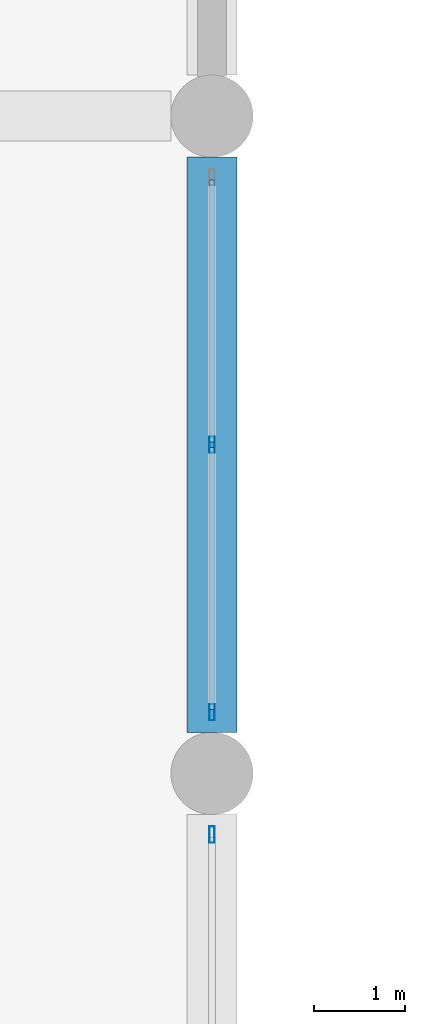
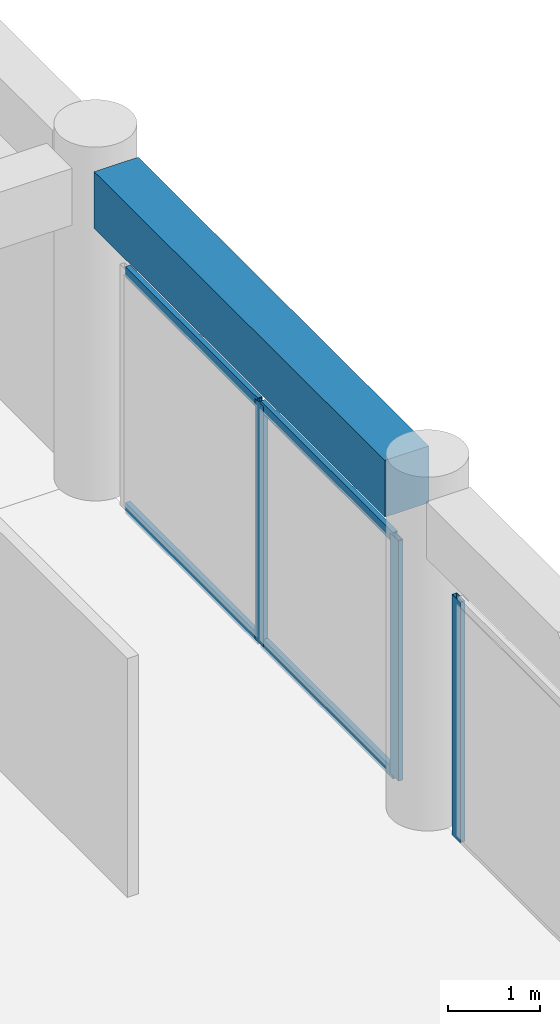
# One storey, part 25 of 54: 7 members, 1 beam, 2 elements without a shape of their own.
"""IFC4 building model written with IfcOpenShell, lengths in metres."""

from ifc_helpers import new_model, si_unit, direction, frame, origin, origin_2d, place, context, subcontext, project, spatial, rectangle, hollow_rectangle, extrude, material, material_profile, profile_set, type_object, element, aggregate, save


model = new_model("IFC4")

# Units and contexts
model_context = context("Model", 3, precision=1e-05, world=origin(), true_north=direction((0.0, 1.0)))
body_context = subcontext(model_context, "Body", "Model", "MODEL_VIEW")
ifc_project = project(units=[si_unit("LENGTHUNIT", "METRE"), si_unit("AREAUNIT", "SQUARE_METRE"), si_unit("VOLUMEUNIT", "CUBIC_METRE"), si_unit("PLANEANGLEUNIT", "RADIAN"), si_unit("MASSUNIT", "GRAM", prefix="KILO")], contexts=[model_context])

# Site, building, storey
site_placement = place(None, origin())
site = spatial("IfcSite", under=ifc_project, at=site_placement, CompositionType="ELEMENT")
building_placement = place(site_placement, origin())
building = spatial("IfcBuilding", under=site, at=building_placement, Name="Kazehaya Institute of Natural Sciences", CompositionType="ELEMENT")
storey_placement = place(building_placement, frame((0.0, 0.0, 10.43994140625)))
storey = spatial("IfcBuildingStorey", under=building, at=storey_placement, Name="L02", CompositionType="ELEMENT", Elevation=10.43994140625)

# Beam
ifc_material_1 = material(Name="Concrete Fc36", Category="concrete")
ifc_material_profile_1 = material_profile(ifc_material_1, rectangle(XDim=0.550048828125, YDim=0.75, at=origin_2d()), Name="RC-550x750")
ifc_profile_set_1 = profile_set([ifc_material_profile_1], Name="Concrete Fc36")
beam_type = type_object("IfcBeamType", Name="BM-G-550x750", PredefinedType="BEAM", material=ifc_profile_set_1)
beam_placement = place(storey_placement, frame((112.199951171875, 57.64990234375, 4.03515625), z_axis=(0.0, 1.0, 0.0), x_axis=(-1.0, 0.0, 0.0)))
element("IfcBeam", 1, at=beam_placement, inside=storey, type_object=beam_type, Name="L02 primary Y girder BMY-L02-1122-572", PredefinedType="BEAM", context=body_context, shape_type="SweptSolid", body=[
    extrude(rectangle(XDim=0.550048828125, YDim=0.75, at=origin_2d()), origin(), (0.0, 0.0, 1.0), 6.300048828125),
])

# Curtain wall, member
ifc_material_2 = material(Name="Aluminium alloy A6063S-T5", Category="aluminium")
curtain_wall_type = type_object("IfcCurtainWallType", Name="CW-SYS-03", PredefinedType="NOTDEFINED", material=ifc_material_2)
curtain_wall_1_placement = place(storey_placement, origin())
curtain_wall_1 = element("IfcCurtainWall", 2, at=curtain_wall_1_placement, inside=storey, type_object=curtain_wall_type, Name="L02 unitised curtain wall CW-L02-028", PredefinedType="NOTDEFINED")
ifc_material_profile_2 = material_profile(ifc_material_2, hollow_rectangle(XDim=0.06005859375, YDim=0.179931640625, WallThickness=0.00390625, at=origin_2d()), Name="ALU-60x180x4")
ifc_profile_set_2 = profile_set([ifc_material_profile_2], Name="Aluminium alloy A6063S-T5")
member_type_1 = type_object("IfcMemberType", Name="CWM-180", PredefinedType="MULLION", material=ifc_profile_set_2)
member_1_placement = place(storey_placement, frame((112.199951171875, 56.530029296875, 0.0), z_axis=(0.0, 0.0, 1.0), x_axis=(1.0, 0.0, 0.0)))
member_1 = element("IfcMember", 3, at=member_1_placement, type_object=member_type_1, Name="CW03 mullion 1", PredefinedType="MULLION", context=body_context, shape_type="SweptSolid", body=[
    extrude(hollow_rectangle(XDim=0.06005859375, YDim=0.179931640625, WallThickness=0.00390625, at=origin_2d()), origin(), (0.0, 0.0, 1.0), 3.18017578125),
])
aggregate(curtain_wall_1, [member_1])

# Curtain wall, members
curtain_wall_2_placement = place(storey_placement, origin())
curtain_wall_2 = element("IfcCurtainWall", 4, at=curtain_wall_2_placement, inside=storey, type_object=curtain_wall_type, Name="L02 unitised curtain wall CW-L02-030", PredefinedType="NOTDEFINED")
member_2_placement = place(storey_placement, frame((112.199951171875, 60.800048828125, 0.0), z_axis=(0.0, 0.0, 1.0), x_axis=(1.0, 0.0, 0.0)))
member_2 = element("IfcMember", 5, at=member_2_placement, type_object=member_type_1, Name="CW03 mullion 2", PredefinedType="MULLION", context=body_context, shape_type="SweptSolid", body=[
    extrude(hollow_rectangle(XDim=0.06005859375, YDim=0.179931640625, WallThickness=0.00390625, at=origin_2d()), origin(), (0.0, 0.0, 1.0), 3.18017578125),
])
member_3_placement = place(storey_placement, frame((112.199951171875, 57.8701171875, 0.0), z_axis=(0.0, 0.0, 1.0), x_axis=(1.0, 0.0, 0.0)))
member_3 = element("IfcMember", 6, at=member_3_placement, type_object=member_type_1, Name="CW03 mullion 3", PredefinedType="MULLION", context=body_context, shape_type="SweptSolid", body=[
    extrude(hollow_rectangle(XDim=0.06005859375, YDim=0.179931640625, WallThickness=0.00390625, at=origin_2d()), origin(), (0.0, 0.0, 1.0), 3.18017578125),
])
ifc_material_profile_3 = material_profile(ifc_material_2, hollow_rectangle(XDim=0.06005859375, YDim=0.139892578125, WallThickness=0.00341796875, at=origin_2d()), Name="ALU-60x140x3.5")
ifc_profile_set_3 = profile_set([ifc_material_profile_3], Name="Aluminium alloy A6063S-T5")
member_type_2 = type_object("IfcMemberType", Name="CWT-140", PredefinedType="USERDEFINED", material=ifc_profile_set_3)
member_4_placement = place(storey_placement, frame((112.199951171875, 63.699951171875, 0.030029296875), z_axis=(0.0, -1.0, 0.0), x_axis=(1.0, 0.0, 0.0)))
member_4 = element("IfcMember", 7, at=member_4_placement, type_object=member_type_2, Name="CW03 transom 1.1", ObjectType="TRANSOM", PredefinedType="USERDEFINED", context=body_context, shape_type="SweptSolid", body=[
    extrude(hollow_rectangle(XDim=0.06005859375, YDim=0.139892578125, WallThickness=0.00341796875, at=origin_2d()), origin(), (0.0, 0.0, 1.0), 2.869873046875),
])
member_5_placement = place(storey_placement, frame((112.199951171875, 63.699951171875, 3.150146484375), z_axis=(0.0, -1.0, 0.0), x_axis=(1.0, 0.0, 0.0)))
member_5 = element("IfcMember", 8, at=member_5_placement, type_object=member_type_2, Name="CW03 transom 1.2", ObjectType="TRANSOM", PredefinedType="USERDEFINED", context=body_context, shape_type="SweptSolid", body=[
    extrude(hollow_rectangle(XDim=0.06005859375, YDim=0.139892578125, WallThickness=0.00341796875, at=origin_2d()), origin(), (0.0, 0.0, 1.0), 2.869873046875),
])
member_6_placement = place(storey_placement, frame((112.199951171875, 60.77001953125, 0.030029296875), z_axis=(0.0, -1.0, 0.0), x_axis=(1.0, 0.0, 0.0)))
member_6 = element("IfcMember", 9, at=member_6_placement, type_object=member_type_2, Name="CW03 transom 2.1", ObjectType="TRANSOM", PredefinedType="USERDEFINED", context=body_context, shape_type="SweptSolid", body=[
    extrude(hollow_rectangle(XDim=0.06005859375, YDim=0.139892578125, WallThickness=0.00341796875, at=origin_2d()), origin(), (0.0, 0.0, 1.0), 2.8701171875),
])
member_7_placement = place(storey_placement, frame((112.199951171875, 60.77001953125, 3.150146484375), z_axis=(0.0, -1.0, 0.0), x_axis=(1.0, 0.0, 0.0)))
member_7 = element("IfcMember", 10, at=member_7_placement, type_object=member_type_2, Name="CW03 transom 2.2", ObjectType="TRANSOM", PredefinedType="USERDEFINED", context=body_context, shape_type="SweptSolid", body=[
    extrude(hollow_rectangle(XDim=0.06005859375, YDim=0.139892578125, WallThickness=0.00341796875, at=origin_2d()), origin(), (0.0, 0.0, 1.0), 2.8701171875),
])
aggregate(curtain_wall_2, [member_2, member_3, member_4, member_5, member_6, member_7])

save(model, "model.ifc")
